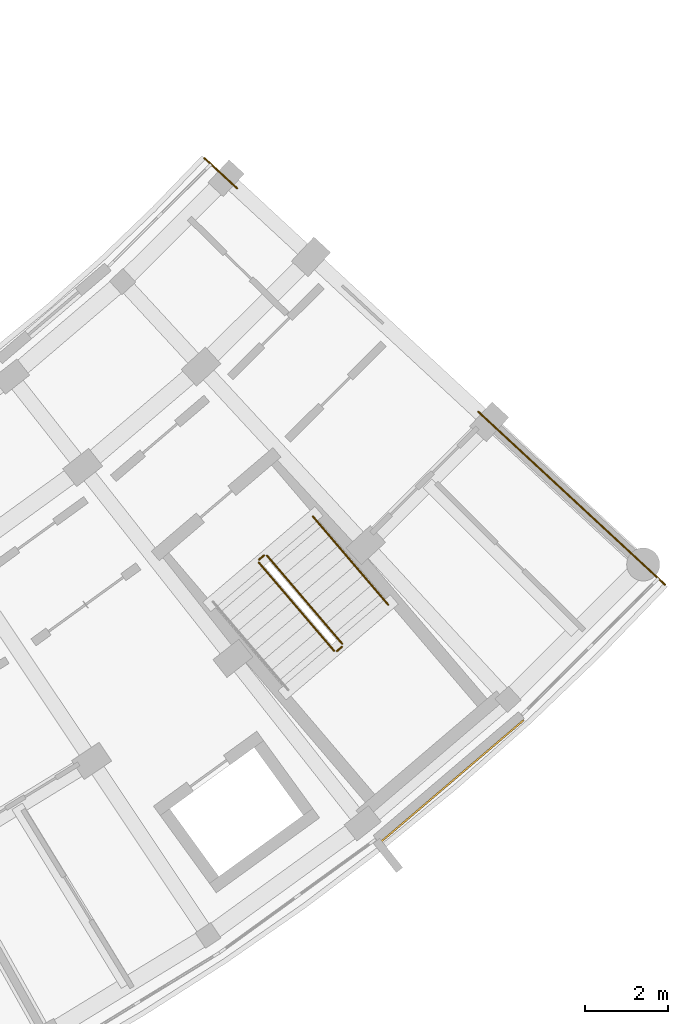
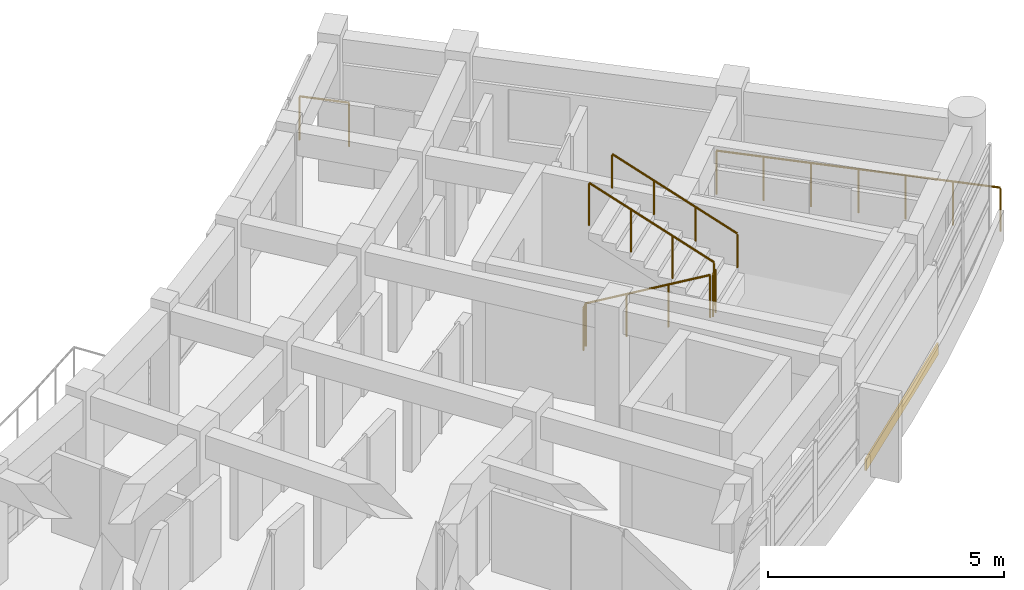
# One storey, part 56 of 56: 7 railings, 1 covering.
"""IFC4 building model written with IfcOpenShell, lengths in metres."""

from ifc_helpers import new_model, si_unit, direction, frame, origin, origin_2d, place, context, subcontext, project, spatial, rectangle, circle, extrude, material, layer, layer_set, type_object, element, save


model = new_model("IFC4")

# Units and contexts
model_context = context("Model", 3, precision=1e-05, world=origin(), true_north=direction((0.0, 1.0)))
body_context = subcontext(model_context, "Body", "Model", "MODEL_VIEW")
ifc_project = project(units=[si_unit("LENGTHUNIT", "METRE"), si_unit("AREAUNIT", "SQUARE_METRE"), si_unit("VOLUMEUNIT", "CUBIC_METRE"), si_unit("PLANEANGLEUNIT", "RADIAN"), si_unit("MASSUNIT", "GRAM", prefix="KILO")], contexts=[model_context])

# Site, building, storey
site_placement = place(None, origin())
site = spatial("IfcSite", under=ifc_project, at=site_placement, CompositionType="ELEMENT")
building_placement = place(site_placement, origin())
building = spatial("IfcBuilding", under=site, at=building_placement, Name="Zimvara Arc Housing Community", CompositionType="ELEMENT")
storey_placement = place(building_placement, frame((0.0, 0.0, 17.39990234375)))
storey = spatial("IfcBuildingStorey", under=building, at=storey_placement, Name="L05", CompositionType="ELEMENT", Elevation=17.39990234375)

# Covering
ifc_material_1 = material(Name="Pale-Gold Anodised Aluminium Cladding", Category="aluminium")
ifc_layer = layer(ifc_material_1, 0.0400390625)
ifc_layer_set = layer_set([ifc_layer], Name="Pale-Gold Anodised Aluminium Cladding")
covering_type = type_object("IfcCoveringType", Name="CLD-GOLD-01", PredefinedType="CLADDING", material=ifc_layer_set)
covering_placement = place(storey_placement, frame((164.55810546875, 64.61083984375, 0.01025390625), z_axis=(0.0, 0.0, 1.0), x_axis=(0.760971293982, 0.648785549882, 0.0)))
element("IfcCovering", 1, at=covering_placement, inside=storey, type_object=covering_type, Name="cld:blkD:L05:out:b8", PredefinedType="CLADDING", context=body_context, shape_type="SweptSolid", body=[
    extrude(rectangle(XDim=4.5625, YDim=0.0400390625, at=origin_2d()), origin(), (0.0, 0.0, 1.0), 0.300048828125),
])

# Railings
ifc_material_2 = material(Name="Anodised Aluminium AW-6063", Category="aluminium")
railing_type_1 = type_object("IfcRailingType", Name="RLG-BAL-1120", PredefinedType="BALUSTRADE", material=ifc_material_2)
railing_1_placement = place(storey_placement, frame((159.87744140625, 69.900634765625, 0.155029296875)))
element("IfcRailing", 2, at=railing_1_placement, inside=storey, type_object=railing_type_1, Name="L05 ST-D2 stair guard 1", PredefinedType="BALUSTRADE", context=body_context, shape_type="SweptSolid", body=[
    extrude(circle(Radius=0.02392578125, at=origin_2d()), frame((0.0, 0.0, 1.09619140625), z_axis=(0.581041388364, -0.681489443978, 0.444930379672), x_axis=(0.760960200111, 0.648798561841, 0.0)), (0.0, 0.0, 1.0), 3.13525390625),
    extrude(circle(Radius=0.02099609375, at=origin_2d()), origin(), (0.0, 0.0, 1.0), 1.072021484375),
    extrude(circle(Radius=0.02099609375, at=origin_2d()), frame((0.607177734375, -0.712158203125, 0.465087890625)), (0.0, 0.0, 1.0), 1.072021484375),
    extrude(circle(Radius=0.02099609375, at=origin_2d()), frame((1.214599609375, -1.424560546875, 0.929931640625)), (0.0, 0.0, 1.0), 1.072021484375),
    extrude(circle(Radius=0.02099609375, at=origin_2d()), frame((1.82177734375, -2.13671875, 1.39501953125)), (0.0, 0.0, 1.0), 1.072021484375),
])
railing_2_placement = place(storey_placement, frame((161.76953125, 67.75830078125, 1.550048828125)))
element("IfcRailing", 3, at=railing_2_placement, inside=storey, type_object=railing_type_1, Name="L05 ST-D2 stair guard 2", PredefinedType="BALUSTRADE", context=body_context, shape_type="SweptSolid", body=[
    extrude(circle(Radius=0.02392578125, at=origin_2d()), frame((0.0, 0.0, 1.09619140625), z_axis=(0.761299014529, 0.648400964278, 0.0), x_axis=(-0.648400964278, 0.761299014529, 0.0)), (0.0, 0.0, 1.0), 0.159912109375),
    extrude(circle(Radius=0.02099609375, at=origin_2d()), origin(), (0.0, 0.0, 1.0), 1.072021484375),
    extrude(circle(Radius=0.02099609375, at=origin_2d()), frame((0.121826171875, 0.103759765625, 0.0)), (0.0, 0.0, 1.0), 1.072021484375),
])
railing_3_placement = place(storey_placement, frame((161.89697265625, 67.9326171875, 1.705078125)))
element("IfcRailing", 4, at=railing_3_placement, inside=storey, type_object=railing_type_1, Name="L05 ST-D2 stair guard 3", PredefinedType="BALUSTRADE", context=body_context, shape_type="SweptSolid", body=[
    extrude(circle(Radius=0.02392578125, at=origin_2d()), frame((0.0, 0.0, 1.09619140625), z_axis=(-0.581041388364, 0.681489443978, 0.444930379672), x_axis=(-0.760960200111, -0.648798561841, 0.0)), (0.0, 0.0, 1.0), 3.13525390625),
    extrude(circle(Radius=0.02099609375, at=origin_2d()), origin(), (0.0, 0.0, 1.0), 1.072021484375),
    extrude(circle(Radius=0.02099609375, at=origin_2d()), frame((-0.607177734375, 0.712158203125, 0.465087890625)), (0.0, 0.0, 1.0), 1.072021484375),
    extrude(circle(Radius=0.02099609375, at=origin_2d()), frame((-1.214599609375, 1.424560546875, 0.929931640625)), (0.0, 0.0, 1.0), 1.072021484375),
    extrude(circle(Radius=0.02099609375, at=origin_2d()), frame((-1.82177734375, 2.13671875, 1.39501953125)), (0.0, 0.0, 1.0), 1.072021484375),
])
railing_4_placement = place(storey_placement, frame((159.883056640625, 69.97119140625, 0.0)))
element("IfcRailing", 5, at=railing_4_placement, inside=storey, type_object=railing_type_1, Name="L05 ST-D2 stair guard 4", PredefinedType="BALUSTRADE", context=body_context, shape_type="SweptSolid", body=[
    extrude(circle(Radius=0.02392578125, at=origin_2d()), frame((0.0, 0.0, 1.09619140625), z_axis=(0.760656476318, 0.649154623364, 0.0), x_axis=(-0.649154623364, 0.760656476318, 0.0)), (0.0, 0.0, 1.0), 0.159912109375),
    extrude(circle(Radius=0.02099609375, at=origin_2d()), origin(), (0.0, 0.0, 1.0), 1.072021484375),
    extrude(circle(Radius=0.02099609375, at=origin_2d()), frame((0.12158203125, 0.103759765625, 0.0)), (0.0, 0.0, 1.0), 1.072021484375),
])
ifc_material_3 = material(Name="Anodised Aluminium AW-6063", Category="aluminium")
railing_type_2 = type_object("IfcRailingType", Name="RLG-BAL-1150", PredefinedType="BALUSTRADE", material=ifc_material_3)
railing_5_placement = place(storey_placement, frame((158.5576171875, 79.69287109375, 0.0)))
element("IfcRailing", 6, at=railing_5_placement, inside=storey, type_object=railing_type_2, Name="rlg:blkD:L05:gable_in:gN", PredefinedType="BALUSTRADE", context=body_context, shape_type="SweptSolid", body=[
    extrude(circle(Radius=0.02392578125, at=origin_2d()), frame((0.0, 0.0, 1.1259765625), z_axis=(0.733710590348, -0.679462117864, 0.0), x_axis=(0.679462117864, 0.733710590348, 0.0)), (0.0, 0.0, 1.0), 1.080078125),
    extrude(circle(Radius=0.02099609375, at=origin_2d()), origin(), (0.0, 0.0, 1.0), 1.101806640625),
    extrude(circle(Radius=0.02099609375, at=origin_2d()), frame((0.79248046875, -0.73388671875, 0.0)), (0.0, 0.0, 1.0), 1.101806640625),
])
railing_6_placement = place(storey_placement, frame((165.1904296875, 73.550537109375, 0.0)))
element("IfcRailing", 7, at=railing_6_placement, inside=storey, type_object=railing_type_2, Name="rlg:blkD:L05:gable_out:gN", PredefinedType="BALUSTRADE", context=body_context, shape_type="SweptSolid", body=[
    extrude(circle(Radius=0.02392578125, at=origin_2d()), frame((0.0, 0.0, 1.1259765625), z_axis=(0.733734329214, -0.67943648278, 0.0), x_axis=(0.67943648278, 0.733734329214, 0.0)), (0.0, 0.0, 1.0), 6.159912109375),
    extrude(circle(Radius=0.02099609375, at=origin_2d()), origin(), (0.0, 0.0, 1.0), 1.101806640625),
    extrude(circle(Radius=0.02099609375, at=origin_2d()), frame((0.75341796875, -0.697509765625, 0.0)), (0.0, 0.0, 1.0), 1.101806640625),
    extrude(circle(Radius=0.02099609375, at=origin_2d()), frame((1.506591796875, -1.39501953125, 0.0)), (0.0, 0.0, 1.0), 1.101806640625),
    extrude(circle(Radius=0.02099609375, at=origin_2d()), frame((2.259765625, -2.0927734375, 0.0)), (0.0, 0.0, 1.0), 1.101806640625),
    extrude(circle(Radius=0.02099609375, at=origin_2d()), frame((3.01318359375, -2.790283203125, 0.0)), (0.0, 0.0, 1.0), 1.101806640625),
    extrude(circle(Radius=0.02099609375, at=origin_2d()), frame((3.7666015625, -3.48779296875, 0.0)), (0.0, 0.0, 1.0), 1.101806640625),
    extrude(circle(Radius=0.02099609375, at=origin_2d()), frame((4.519775390625, -4.185302734375, 0.0)), (0.0, 0.0, 1.0), 1.101806640625),
])
ifc_material_4 = material(Name="Anodised Aluminium AW-6063", Category="aluminium")
railing_type_3 = type_object("IfcRailingType", Name="RLG-HND-900", PredefinedType="HANDRAIL", material=ifc_material_4)
railing_7_placement = place(storey_placement, frame((163.008056640625, 68.8798828125, 1.705078125)))
element("IfcRailing", 8, at=railing_7_placement, inside=storey, type_object=railing_type_3, Name="L05 ST-D2 stair handrail 2", PredefinedType="HANDRAIL", context=body_context, shape_type="SweptSolid", body=[
    extrude(circle(Radius=0.02392578125, at=origin_2d()), frame((0.0, 0.0, 0.8759765625), z_axis=(-0.581041388364, 0.681489443978, 0.444930379672), x_axis=(-0.760960200111, -0.648798561841, 0.0)), (0.0, 0.0, 1.0), 3.13525390625),
    extrude(circle(Radius=0.02099609375, at=origin_2d()), origin(), (0.0, 0.0, 1.0), 0.851806640625),
    extrude(circle(Radius=0.02099609375, at=origin_2d()), frame((-0.607177734375, 0.712158203125, 0.465087890625)), (0.0, 0.0, 1.0), 0.851806640625),
    extrude(circle(Radius=0.02099609375, at=origin_2d()), frame((-1.214599609375, 1.424560546875, 0.929931640625)), (0.0, 0.0, 1.0), 0.851806640625),
    extrude(circle(Radius=0.02099609375, at=origin_2d()), frame((-1.82177734375, 2.13671875, 1.39501953125)), (0.0, 0.0, 1.0), 0.851806640625),
])

save(model, "model.ifc")
